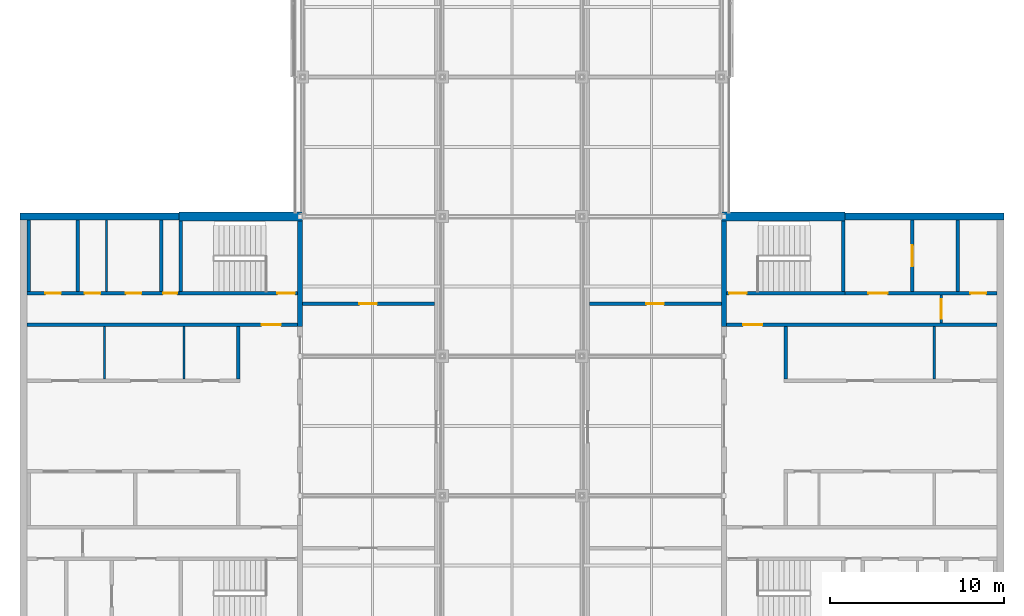
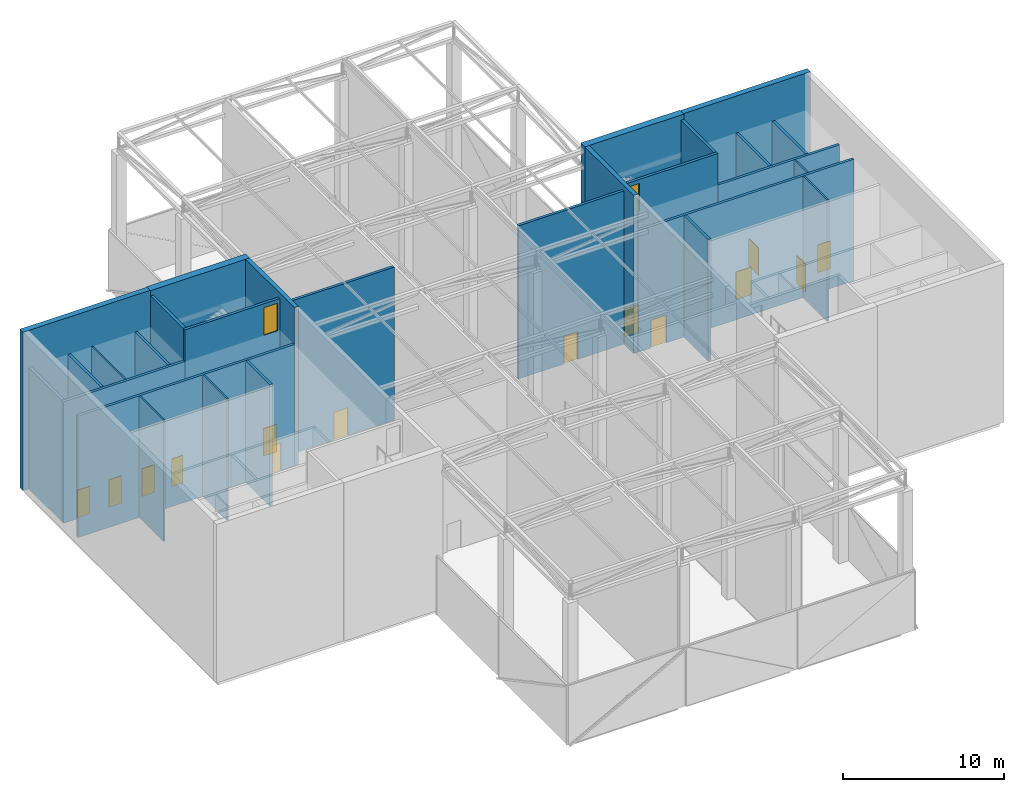
# One storey, part 13 of 23: 28 walls, 16 doors, 16 openings.
"""IFC4 building model written with IfcOpenShell, lengths in metres."""

from ifc_helpers import new_model, si_unit, direction, frame, frame_2d, origin, place, context, subcontext, project, spatial, rectangle, extrude, material, layer, layer_set, constituent, constituent_set, type_object, element, fill, save


model = new_model("IFC4")

# Units and contexts
model_context = context("Model", 3, precision=1e-05, world=origin(), true_north=direction((0.0, 1.0)))
body_context = subcontext(model_context, "Body", "Model", "MODEL_VIEW")
ifc_project = project(units=[si_unit("LENGTHUNIT", "METRE"), si_unit("AREAUNIT", "SQUARE_METRE"), si_unit("VOLUMEUNIT", "CUBIC_METRE"), si_unit("PLANEANGLEUNIT", "RADIAN"), si_unit("MASSUNIT", "GRAM", prefix="KILO")], contexts=[model_context])

# Site, building, storey
site_placement = place(None, origin())
site = spatial("IfcSite", under=ifc_project, at=site_placement, CompositionType="ELEMENT")
building_placement = place(site_placement, origin())
building = spatial("IfcBuilding", under=site, at=building_placement, Name="Crosswind Convention Tower", CompositionType="ELEMENT")
storey_placement = place(building_placement, frame((0.0, 0.0, 349.10009765625)))
storey = spatial("IfcBuildingStorey", under=building, at=storey_placement, Name="L76", CompositionType="ELEMENT", Elevation=349.10009765625)

# Wall
ifc_material_1 = material(Name="Concrete blockwork", Category="masonry")
ifc_layer_1 = layer(ifc_material_1, 0.199951171875)
ifc_layer_set_1 = layer_set([ifc_layer_1], Name="Blockwork partition wall 200")
wall_type_1 = type_object("IfcWallType", Name="Blockwork partition wall 200", PredefinedType="PARTITIONING", material=ifc_layer_set_1)
wall_1_placement = place(storey_placement, frame((104.89990234375, 111.800048828125, 0.0), z_axis=(0.0, 0.0, 1.0), x_axis=(0.0, -1.0, 0.0)))
element("IfcWall", 1, at=wall_1_placement, inside=storey, type_object=wall_type_1, Name="Wall MRSE W L76", PredefinedType="PARTITIONING", context=body_context, shape_type="SweptSolid", body=[
    extrude(rectangle(XDim=4.10009765625, YDim=0.199951171875, at=frame_2d((2.050048828125, 0.0))), origin(), (0.0, 0.0, 1.0), 9.199951171875),
])

# Wall, opening, door
ifc_layer_2 = layer(ifc_material_1, 0.199951171875)
ifc_layer_set_2 = layer_set([ifc_layer_2], Name="COMPARTMENT WALL 200 BLOCKWORK")
wall_type_2 = type_object("IfcWallType", Name="COMPARTMENT WALL 200 BLOCKWORK", PredefinedType="SOLIDWALL", material=ifc_layer_set_2)
wall_2_placement = place(storey_placement, frame((113.0, 107.0, 0.0), z_axis=(0.0, 0.0, 1.0), x_axis=(1.0, 0.0, 0.0)))
wall_2 = element("IfcWall", 2, at=wall_2_placement, inside=storey, type_object=wall_type_2, Name="Compartment wall WT42", PredefinedType="SOLIDWALL", context=body_context, shape_type="SweptSolid", body=[
    extrude(rectangle(XDim=7.550048828125, YDim=0.199951171875, at=frame_2d((3.77490234375, 0.0))), origin(), (0.0, 0.0, 1.0), 11.599853515625),
])
opening_1_placement = place(wall_2_placement, frame((3.25, 0.0, 0.0)))
opening_1 = element("IfcOpeningElement", 3, at=opening_1_placement, cuts=wall_2, Name="Opening L76-51", PredefinedType="OPENING", context=body_context, shape_type="SweptSolid", body=[
    extrude(rectangle(XDim=1.0, YDim=2.10009765625, at=frame_2d((0.5, 1.050048828125))), frame((0.0, 0.10986328125, 0.0), z_axis=(0.0, -1.0, 0.0), x_axis=(1.0, 0.0, 0.0)), (0.0, 0.0, 1.0), 0.219970703125),
])
ifc_material_2 = material(Name="Steel fire door", Category="steel")
door_type_1 = type_object("IfcDoorType", Name="PLANT ROOM DOOR 1000X2100 FD60", OperationType="NOTDEFINED", PredefinedType="DOOR", material=ifc_material_2)
door_1_placement = place(opening_1_placement, origin())
door_1 = element("IfcDoor", 4, at=door_1_placement, inside=storey, type_object=door_type_1, Name="Door L76-51", ObjectType="D43", OperationType="SINGLE_SWING_LEFT", OverallHeight=2.10009765625, OverallWidth=1.0, PredefinedType="DOOR", context=body_context, shape_type="SweptSolid", body=[
    extrude(rectangle(XDim=1.0, YDim=2.10009765625, at=frame_2d((0.5, 1.050048828125))), frame((0.0, 0.02490234375, 0.0), z_axis=(0.0, -1.0, 0.0), x_axis=(1.0, 0.0, 0.0)), (0.0, 0.0, 1.0), 0.050048828125),
])
fill(opening_1, door_1)

wall_3_placement = place(storey_placement, frame((129.449951171875, 107.0, 0.0), z_axis=(0.0, 0.0, 1.0), x_axis=(1.0, 0.0, 0.0)))
wall_3 = element("IfcWall", 5, at=wall_3_placement, inside=storey, type_object=wall_type_2, Name="Compartment wall WT42", PredefinedType="SOLIDWALL", context=body_context, shape_type="SweptSolid", body=[
    extrude(rectangle(XDim=7.550048828125, YDim=0.199951171875, at=frame_2d((3.77490234375, 0.0))), origin(), (0.0, 0.0, 1.0), 11.599853515625),
])
opening_2_placement = place(wall_3_placement, frame((3.25, 0.0, 0.0)))
opening_2 = element("IfcOpeningElement", 6, at=opening_2_placement, cuts=wall_3, Name="Opening L76-54", PredefinedType="OPENING", context=body_context, shape_type="SweptSolid", body=[
    extrude(rectangle(XDim=1.0, YDim=2.10009765625, at=frame_2d((0.5, 1.050048828125))), frame((0.0, 0.10986328125, 0.0), z_axis=(0.0, -1.0, 0.0), x_axis=(1.0, 0.0, 0.0)), (0.0, 0.0, 1.0), 0.219970703125),
])
door_2_placement = place(opening_2_placement, origin())
door_2 = element("IfcDoor", 7, at=door_2_placement, inside=storey, type_object=door_type_1, Name="Door L76-54", ObjectType="D43", OperationType="SINGLE_SWING_LEFT", OverallHeight=2.10009765625, OverallWidth=1.0, PredefinedType="DOOR", context=body_context, shape_type="SweptSolid", body=[
    extrude(rectangle(XDim=1.0, YDim=2.10009765625, at=frame_2d((0.5, 1.050048828125))), frame((0.0, 0.02490234375, 0.0), z_axis=(0.0, -1.0, 0.0), x_axis=(1.0, 0.0, 0.0)), (0.0, 0.0, 1.0), 0.050048828125),
])
fill(opening_2, door_2)

# Walls
ifc_material_3 = material(Name="Concrete C50/60", Category="concrete")
ifc_layer_3 = layer(ifc_material_3, 0.300048828125)
ifc_layer_set_3 = layer_set([ifc_layer_3], Name="Concrete C50/60")
wall_type_3 = type_object("IfcWallType", Name="Concrete inner core wall 300", PredefinedType="SHEAR", material=ifc_layer_set_3)
for number, where, z_axis, x_axis, name in (
    (8, (137.14990234375, 105.699951171875, 0.0), (0.0, 0.0, 1.0), (0.0, 1.0, 0.0), "Wall EP E L76"),
    (9, (112.85009765625, 111.75, 0.0), (0.0, 0.0, 1.0), (0.0, -1.0, 0.0), "Wall EM W L76"),
):
    element("IfcWall", number, at=place(storey_placement, frame(where, z_axis=z_axis, x_axis=x_axis)), inside=storey, type_object=wall_type_3, Name=name, PredefinedType="SHEAR", context=body_context, shape_type="SweptSolid", body=[
        extrude(rectangle(XDim=6.050048828125, YDim=0.300048828125, at=frame_2d((3.02490234375, 0.0))), origin(), (0.0, 0.0, 1.0), 12.0),
    ])
ifc_layer_4 = layer(ifc_material_3, 0.199951171875)
ifc_layer_set_4 = layer_set([ifc_layer_4], Name="Concrete C50/60")
wall_type_4 = type_object("IfcWallType", Name="Concrete shaft and stair wall 200", PredefinedType="SHEAR", material=ifc_layer_set_4)
wall_4_placement = place(storey_placement, frame((140.699951171875, 102.699951171875, 0.0), z_axis=(0.0, 0.0, 1.0), x_axis=(0.0, 1.0, 0.0)))
element("IfcWall", 10, at=wall_4_placement, inside=storey, type_object=wall_type_4, Name="Wall RPEND E L76", PredefinedType="SHEAR", context=body_context, shape_type="SweptSolid", body=[
    extrude(rectangle(XDim=3.0, YDim=0.199951171875, at=frame_2d((1.5, 0.0))), origin(), (0.0, 0.0, 1.0), 9.199951171875),
])

# Wall, opening, door
wall_5_placement = place(storey_placement, frame((137.300048828125, 105.800048828125, 0.0), z_axis=(0.0, 0.0, 1.0), x_axis=(1.0, 0.0, 0.0)))
wall_5 = element("IfcWall", 11, at=wall_5_placement, inside=storey, type_object=wall_type_4, Name="Wall HP E L76", PredefinedType="SHEAR", context=body_context, shape_type="SweptSolid", body=[
    extrude(rectangle(XDim=15.5, YDim=0.199951171875, at=frame_2d((7.75, 0.0))), origin(), (0.0, 0.0, 1.0), 9.199951171875),
])
opening_3_placement = place(wall_5_placement, frame((0.949951171875, 0.0, 0.0)))
opening_3 = element("IfcOpeningElement", 12, at=opening_3_placement, cuts=wall_5, Name="Opening D104", PredefinedType="OPENING", context=body_context, shape_type="SweptSolid", body=[
    extrude(rectangle(XDim=1.10009765625, YDim=2.10009765625, at=frame_2d((0.550048828125, 1.050048828125))), frame((0.0, 0.10986328125, 0.0), z_axis=(0.0, -1.0, 0.0), x_axis=(1.0, 0.0, 0.0)), (0.0, 0.0, 1.0), 0.219970703125),
])
door_type_2 = type_object("IfcDoorType", Name="Fire-rated single door 1100x2100", OperationType="NOTDEFINED", PredefinedType="DOOR", material=ifc_material_2)
door_3_placement = place(opening_3_placement, origin())
door_3 = element("IfcDoor", 13, at=door_3_placement, inside=storey, type_object=door_type_2, Name="Corridor door L76", ObjectType="D104", OperationType="SINGLE_SWING_LEFT", OverallHeight=2.10009765625, OverallWidth=1.10009765625, PredefinedType="DOOR", context=body_context, shape_type="SweptSolid", body=[
    extrude(rectangle(XDim=1.10009765625, YDim=2.10009765625, at=frame_2d((0.550048828125, 1.050048828125))), frame((0.0, 0.02490234375, 0.0), z_axis=(0.0, -1.0, 0.0), x_axis=(1.0, 0.0, 0.0)), (0.0, 0.0, 1.0), 0.050048828125),
])
fill(opening_3, door_3)

# Wall
wall_6_placement = place(storey_placement, frame((144.0, 107.699951171875, 0.0), z_axis=(0.0, 0.0, 1.0), x_axis=(0.0, 1.0, 0.0)))
element("IfcWall", 14, at=wall_6_placement, inside=storey, type_object=wall_type_4, Name="Wall PSE E L76", PredefinedType="SHEAR", context=body_context, shape_type="SweptSolid", body=[
    extrude(rectangle(XDim=4.050048828125, YDim=0.199951171875, at=frame_2d((2.02490234375, 0.0))), origin(), (0.0, 0.0, 1.0), 11.599853515625),
])

# Wall, opening, door
wall_7_placement = place(storey_placement, frame((147.949951171875, 107.699951171875, 0.0), z_axis=(0.0, 0.0, 1.0), x_axis=(0.0, 1.0, 0.0)))
wall_7 = element("IfcWall", 15, at=wall_7_placement, inside=storey, type_object=wall_type_4, Name="Wall PFLW E L76", PredefinedType="SHEAR", context=body_context, shape_type="SweptSolid", body=[
    extrude(rectangle(XDim=4.10009765625, YDim=0.199951171875, at=frame_2d((2.050048828125, 0.0))), origin(), (0.0, 0.0, 1.0), 9.199951171875),
])
opening_4_placement = place(wall_7_placement, frame((1.449951171875, 0.0, 0.0)))
opening_4 = element("IfcOpeningElement", 16, at=opening_4_placement, cuts=wall_7, Name="Opening LD1", PredefinedType="OPENING", context=body_context, shape_type="SweptSolid", body=[
    extrude(rectangle(XDim=1.199951171875, YDim=2.10009765625, at=frame_2d((0.60009765625, 1.050048828125))), frame((0.0, 0.10986328125, 0.0), z_axis=(0.0, -1.0, 0.0), x_axis=(1.0, 0.0, 0.0)), (0.0, 0.0, 1.0), 0.219970703125),
])
ifc_material_4 = material(Name="Stainless steel", Category="steel")
door_type_3 = type_object("IfcDoorType", Name="Lift landing door 1200x2100", OperationType="DOUBLE_DOOR_SLIDING", PredefinedType="DOOR", material=ifc_material_4)
door_4_placement = place(opening_4_placement, origin())
door_4 = element("IfcDoor", 17, at=door_4_placement, inside=storey, type_object=door_type_3, Name="Landing door FF1 L76", ObjectType="LD1", OperationType="DOUBLE_DOOR_SLIDING", OverallHeight=2.10009765625, OverallWidth=1.199951171875, PredefinedType="DOOR", context=body_context, shape_type="SweptSolid", body=[
    extrude(rectangle(XDim=1.199951171875, YDim=2.10009765625, at=frame_2d((0.60009765625, 1.050048828125))), frame((0.0, 0.02490234375, 0.0), z_axis=(0.0, -1.0, 0.0), x_axis=(1.0, 0.0, 0.0)), (0.0, 0.0, 1.0), 0.050048828125),
])
fill(opening_4, door_4)

# Wall
wall_8_placement = place(storey_placement, frame((150.550048828125, 107.699951171875, 0.0), z_axis=(0.0, 0.0, 1.0), x_axis=(0.0, 1.0, 0.0)))
element("IfcWall", 18, at=wall_8_placement, inside=storey, type_object=wall_type_4, Name="Wall PFSE E L76", PredefinedType="SHEAR", context=body_context, shape_type="SweptSolid", body=[
    extrude(rectangle(XDim=4.10009765625, YDim=0.199951171875, at=frame_2d((2.050048828125, 0.0))), origin(), (0.0, 0.0, 1.0), 9.199951171875),
])

# Wall, openings, doors
wall_9_placement = place(storey_placement, frame((137.300048828125, 107.60009765625, 0.0), z_axis=(0.0, 0.0, 1.0), x_axis=(1.0, 0.0, 0.0)))
wall_9 = element("IfcWall", 19, at=wall_9_placement, inside=storey, type_object=wall_type_4, Name="Wall PCW E L76", PredefinedType="SHEAR", context=body_context, shape_type="SweptSolid", body=[
    extrude(rectangle(XDim=6.800048828125, YDim=0.199951171875, at=frame_2d((3.39990234375, 0.0))), origin(), (0.0, 0.0, 1.0), 11.599853515625),
])
opening_5_placement = place(wall_9_placement, frame((0.14990234375, 0.0, 0.0)))
opening_5 = element("IfcOpeningElement", 20, at=opening_5_placement, cuts=wall_9, Name="Opening D103", PredefinedType="OPENING", context=body_context, shape_type="SweptSolid", body=[
    extrude(rectangle(XDim=1.0, YDim=2.10009765625, at=frame_2d((0.5, 1.050048828125))), frame((0.0, 0.10986328125, 0.0), z_axis=(0.0, -1.0, 0.0), x_axis=(1.0, 0.0, 0.0)), (0.0, 0.0, 1.0), 0.219970703125),
])
opening_6_placement = place(wall_9_placement, frame((0.14990234375, 0.0, 9.199951171875)))
opening_6 = element("IfcOpeningElement", 21, at=opening_6_placement, cuts=wall_9, Name="Opening D103", PredefinedType="OPENING", context=body_context, shape_type="SweptSolid", body=[
    extrude(rectangle(XDim=1.0, YDim=2.10009765625, at=frame_2d((0.5, 1.050048828125))), frame((0.0, 0.10986328125, 0.0), z_axis=(0.0, -1.0, 0.0), x_axis=(1.0, 0.0, 0.0)), (0.0, 0.0, 1.0), 0.219970703125),
])
door_type_4 = type_object("IfcDoorType", Name="Fire-rated single door 1000x2100", OperationType="NOTDEFINED", PredefinedType="DOOR", material=ifc_material_2)
door_5_placement = place(opening_5_placement, origin())
door_5 = element("IfcDoor", 22, at=door_5_placement, inside=storey, type_object=door_type_4, Name="Stair ST1 door L76", ObjectType="D103", OperationType="SINGLE_SWING_LEFT", OverallHeight=2.10009765625, OverallWidth=1.0, PredefinedType="DOOR", context=body_context, shape_type="SweptSolid", body=[
    extrude(rectangle(XDim=1.0, YDim=2.10009765625, at=frame_2d((0.5, 1.050048828125))), frame((0.0, 0.02490234375, 0.0), z_axis=(0.0, -1.0, 0.0), x_axis=(1.0, 0.0, 0.0)), (0.0, 0.0, 1.0), 0.050048828125),
])
fill(opening_5, door_5)
door_6_placement = place(opening_6_placement, frame((1.0, 0.0, 0.0), z_axis=(0.0, 0.0, 1.0), x_axis=(-1.0, 0.0, 0.0)))
door_6 = element("IfcDoor", 23, at=door_6_placement, inside=storey, type_object=door_type_4, Name="Stair ST1 roof door L76", ObjectType="D103", OperationType="SINGLE_SWING_RIGHT", OverallHeight=2.10009765625, OverallWidth=1.0, PredefinedType="DOOR", context=body_context, shape_type="SweptSolid", body=[
    extrude(rectangle(XDim=1.0, YDim=2.10009765625, at=frame_2d((0.5, 1.050048828125))), frame((0.0, 0.02490234375, 0.0), z_axis=(0.0, -1.0, 0.0), x_axis=(1.0, 0.0, 0.0)), (0.0, 0.0, 1.0), 0.050048828125),
])
fill(opening_6, door_6)

wall_10_placement = place(storey_placement, frame((144.10009765625, 107.60009765625, 0.0), z_axis=(0.0, 0.0, 1.0), x_axis=(1.0, 0.0, 0.0)))
wall_10 = element("IfcWall", 24, at=wall_10_placement, inside=storey, type_object=wall_type_4, Name="Wall PCX E L76", PredefinedType="SHEAR", context=body_context, shape_type="SweptSolid", body=[
    extrude(rectangle(XDim=8.699951171875, YDim=0.199951171875, at=frame_2d((4.35009765625, 0.0))), origin(), (0.0, 0.0, 1.0), 9.199951171875),
])
opening_7_placement = place(wall_10_placement, frame((1.324951171875, 0.0, 0.0)))
opening_7 = element("IfcOpeningElement", 25, at=opening_7_placement, cuts=wall_10, Name="Opening D104", PredefinedType="OPENING", context=body_context, shape_type="SweptSolid", body=[
    extrude(rectangle(XDim=1.10009765625, YDim=2.10009765625, at=frame_2d((0.550048828125, 1.050048828125))), frame((0.0, 0.10986328125, 0.0), z_axis=(0.0, -1.0, 0.0), x_axis=(1.0, 0.0, 0.0)), (0.0, 0.0, 1.0), 0.219970703125),
])
opening_8_placement = place(wall_10_placement, frame((7.175048828125, 0.0, 0.0)))
opening_8 = element("IfcOpeningElement", 26, at=opening_8_placement, cuts=wall_10, Name="Opening D106", PredefinedType="OPENING", context=body_context, shape_type="SweptSolid", body=[
    extrude(rectangle(XDim=0.89990234375, YDim=2.10009765625, at=frame_2d((0.449951171875, 1.050048828125))), frame((0.0, 0.10986328125, 0.0), z_axis=(0.0, -1.0, 0.0), x_axis=(1.0, 0.0, 0.0)), (0.0, 0.0, 1.0), 0.219970703125),
])
door_7_placement = place(opening_7_placement, frame((1.10009765625, 0.0, 0.0), z_axis=(0.0, 0.0, 1.0), x_axis=(-1.0, 0.0, 0.0)))
door_7 = element("IfcDoor", 27, at=door_7_placement, inside=storey, type_object=door_type_2, Name="Fire-fighting lobby FF1 door L76", ObjectType="D104", OperationType="SINGLE_SWING_LEFT", OverallHeight=2.10009765625, OverallWidth=1.10009765625, PredefinedType="DOOR", context=body_context, shape_type="SweptSolid", body=[
    extrude(rectangle(XDim=1.10009765625, YDim=2.10009765625, at=frame_2d((0.550048828125, 1.050048828125))), frame((0.0, 0.02490234375, 0.0), z_axis=(0.0, -1.0, 0.0), x_axis=(1.0, 0.0, 0.0)), (0.0, 0.0, 1.0), 0.050048828125),
])
fill(opening_7, door_7)
ifc_material_5 = material(Name="Timber door", Category="wood")
door_type_5 = type_object("IfcDoorType", Name="Single leaf door 900x2100", OperationType="NOTDEFINED", PredefinedType="DOOR", material=ifc_material_5)
door_8_placement = place(opening_8_placement, origin())
door_8 = element("IfcDoor", 28, at=door_8_placement, inside=storey, type_object=door_type_5, Name="Door to mechanical plant room L76", ObjectType="D106", OperationType="SINGLE_SWING_RIGHT", OverallHeight=2.10009765625, OverallWidth=0.89990234375, PredefinedType="DOOR", context=body_context, shape_type="SweptSolid", body=[
    extrude(rectangle(XDim=0.89990234375, YDim=2.10009765625, at=frame_2d((0.449951171875, 1.050048828125))), frame((0.0, 0.02490234375, 0.0), z_axis=(0.0, -1.0, 0.0), x_axis=(1.0, 0.0, 0.0)), (0.0, 0.0, 1.0), 0.050048828125),
])
fill(opening_8, door_8)

# Wall
wall_11_placement = place(storey_placement, frame((109.300048828125, 105.699951171875, 0.0), z_axis=(0.0, 0.0, 1.0), x_axis=(0.0, -1.0, 0.0)))
element("IfcWall", 29, at=wall_11_placement, inside=storey, type_object=wall_type_4, Name="Wall RMEND W L76", PredefinedType="SHEAR", context=body_context, shape_type="SweptSolid", body=[
    extrude(rectangle(XDim=3.0, YDim=0.199951171875, at=frame_2d((1.5, 0.0))), origin(), (0.0, 0.0, 1.0), 9.199951171875),
])

# Wall, opening, door
wall_12_placement = place(storey_placement, frame((112.699951171875, 105.800048828125, 0.0), z_axis=(0.0, 0.0, 1.0), x_axis=(-1.0, 0.0, 0.0)))
wall_12 = element("IfcWall", 30, at=wall_12_placement, inside=storey, type_object=wall_type_4, Name="Wall HM W L76", PredefinedType="SHEAR", context=body_context, shape_type="SweptSolid", body=[
    extrude(rectangle(XDim=15.5, YDim=0.199951171875, at=frame_2d((7.75, 0.0))), origin(), (0.0, 0.0, 1.0), 9.199951171875),
])
opening_9_placement = place(wall_12_placement, frame((0.949951171875, 0.0, 0.0)))
opening_9 = element("IfcOpeningElement", 31, at=opening_9_placement, cuts=wall_12, Name="Opening D104", PredefinedType="OPENING", context=body_context, shape_type="SweptSolid", body=[
    extrude(rectangle(XDim=1.10009765625, YDim=2.10009765625, at=frame_2d((0.550048828125, 1.050048828125))), frame((0.0, 0.10986328125, 0.0), z_axis=(0.0, -1.0, 0.0), x_axis=(1.0, 0.0, 0.0)), (0.0, 0.0, 1.0), 0.219970703125),
])
door_9_placement = place(opening_9_placement, frame((1.10009765625, 0.0, 0.0), z_axis=(0.0, 0.0, 1.0), x_axis=(-1.0, 0.0, 0.0)))
door_9 = element("IfcDoor", 32, at=door_9_placement, inside=storey, type_object=door_type_2, Name="Corridor door L76", ObjectType="D104", OperationType="SINGLE_SWING_RIGHT", OverallHeight=2.10009765625, OverallWidth=1.10009765625, PredefinedType="DOOR", context=body_context, shape_type="SweptSolid", body=[
    extrude(rectangle(XDim=1.10009765625, YDim=2.10009765625, at=frame_2d((0.550048828125, 1.050048828125))), frame((0.0, 0.02490234375, 0.0), z_axis=(0.0, -1.0, 0.0), x_axis=(1.0, 0.0, 0.0)), (0.0, 0.0, 1.0), 0.050048828125),
])
fill(opening_9, door_9)

# Walls
wall_13_placement = place(storey_placement, frame((106.0, 111.75, 0.0), z_axis=(0.0, 0.0, 1.0), x_axis=(0.0, -1.0, 0.0)))
element("IfcWall", 33, at=wall_13_placement, inside=storey, type_object=wall_type_4, Name="Wall MSE W L76", PredefinedType="SHEAR", context=body_context, shape_type="SweptSolid", body=[
    extrude(rectangle(XDim=4.050048828125, YDim=0.199951171875, at=frame_2d((2.02490234375, 0.0))), origin(), (0.0, 0.0, 1.0), 11.599853515625),
])
for number, where, z_axis, x_axis, name in (
    (34, (100.10009765625, 111.800048828125, 0.0), (0.0, 0.0, 1.0), (0.0, -1.0, 0.0), "Wall MFSW W L76"),
    (35, (97.300048828125, 111.800048828125, 0.0), (0.0, 0.0, 1.0), (0.0, -1.0, 0.0), "Wall MFSE W L76"),
):
    element("IfcWall", number, at=place(storey_placement, frame(where, z_axis=z_axis, x_axis=x_axis)), inside=storey, type_object=wall_type_4, Name=name, PredefinedType="SHEAR", context=body_context, shape_type="SweptSolid", body=[
        extrude(rectangle(XDim=4.10009765625, YDim=0.199951171875, at=frame_2d((2.050048828125, 0.0))), origin(), (0.0, 0.0, 1.0), 9.199951171875),
    ])

# Wall, openings, doors
wall_14_placement = place(storey_placement, frame((112.699951171875, 107.60009765625, 0.0), z_axis=(0.0, 0.0, 1.0), x_axis=(-1.0, 0.0, 0.0)))
wall_14 = element("IfcWall", 36, at=wall_14_placement, inside=storey, type_object=wall_type_4, Name="Wall MCW W L76", PredefinedType="SHEAR", context=body_context, shape_type="SweptSolid", body=[
    extrude(rectangle(XDim=6.800048828125, YDim=0.199951171875, at=frame_2d((3.39990234375, 0.0))), origin(), (0.0, 0.0, 1.0), 11.599853515625),
])
opening_10_placement = place(wall_14_placement, frame((0.14990234375, 0.0, 0.0)))
opening_10 = element("IfcOpeningElement", 37, at=opening_10_placement, cuts=wall_14, Name="Opening D103", PredefinedType="OPENING", context=body_context, shape_type="SweptSolid", body=[
    extrude(rectangle(XDim=1.0, YDim=2.10009765625, at=frame_2d((0.5, 1.050048828125))), frame((0.0, 0.10986328125, 0.0), z_axis=(0.0, -1.0, 0.0), x_axis=(1.0, 0.0, 0.0)), (0.0, 0.0, 1.0), 0.219970703125),
])
opening_11_placement = place(wall_14_placement, frame((0.14990234375, 0.0, 9.199951171875)))
opening_11 = element("IfcOpeningElement", 38, at=opening_11_placement, cuts=wall_14, Name="Opening D103", PredefinedType="OPENING", context=body_context, shape_type="SweptSolid", body=[
    extrude(rectangle(XDim=1.0, YDim=2.10009765625, at=frame_2d((0.5, 1.050048828125))), frame((0.0, 0.10986328125, 0.0), z_axis=(0.0, -1.0, 0.0), x_axis=(1.0, 0.0, 0.0)), (0.0, 0.0, 1.0), 0.219970703125),
])
door_10_placement = place(opening_10_placement, frame((1.0, 0.0, 0.0), z_axis=(0.0, 0.0, 1.0), x_axis=(-1.0, 0.0, 0.0)))
door_10 = element("IfcDoor", 39, at=door_10_placement, inside=storey, type_object=door_type_4, Name="Stair ST4 door L76", ObjectType="D103", OperationType="SINGLE_SWING_RIGHT", OverallHeight=2.10009765625, OverallWidth=1.0, PredefinedType="DOOR", context=body_context, shape_type="SweptSolid", body=[
    extrude(rectangle(XDim=1.0, YDim=2.10009765625, at=frame_2d((0.5, 1.050048828125))), frame((0.0, 0.02490234375, 0.0), z_axis=(0.0, -1.0, 0.0), x_axis=(1.0, 0.0, 0.0)), (0.0, 0.0, 1.0), 0.050048828125),
])
fill(opening_10, door_10)
door_11_placement = place(opening_11_placement, origin())
door_11 = element("IfcDoor", 40, at=door_11_placement, inside=storey, type_object=door_type_4, Name="Stair ST4 roof door L76", ObjectType="D103", OperationType="SINGLE_SWING_LEFT", OverallHeight=2.10009765625, OverallWidth=1.0, PredefinedType="DOOR", context=body_context, shape_type="SweptSolid", body=[
    extrude(rectangle(XDim=1.0, YDim=2.10009765625, at=frame_2d((0.5, 1.050048828125))), frame((0.0, 0.02490234375, 0.0), z_axis=(0.0, -1.0, 0.0), x_axis=(1.0, 0.0, 0.0)), (0.0, 0.0, 1.0), 0.050048828125),
])
fill(opening_11, door_11)

wall_15_placement = place(storey_placement, frame((105.89990234375, 107.60009765625, 0.0), z_axis=(0.0, 0.0, 1.0), x_axis=(-1.0, 0.0, 0.0)))
wall_15 = element("IfcWall", 41, at=wall_15_placement, inside=storey, type_object=wall_type_4, Name="Wall MCX W L76", PredefinedType="SHEAR", context=body_context, shape_type="SweptSolid", body=[
    extrude(rectangle(XDim=8.699951171875, YDim=0.199951171875, at=frame_2d((4.35009765625, 0.0))), origin(), (0.0, 0.0, 1.0), 9.199951171875),
])
opening_12_placement = place(wall_15_placement, frame((0.10009765625, 0.0, 0.0)))
opening_12 = element("IfcOpeningElement", 42, at=opening_12_placement, cuts=wall_15, Name="Opening D105", PredefinedType="OPENING", context=body_context, shape_type="SweptSolid", body=[
    extrude(rectangle(XDim=0.800048828125, YDim=2.10009765625, at=frame_2d((0.39990234375, 1.050048828125))), frame((0.0, 0.10986328125, 0.0), z_axis=(0.0, -1.0, 0.0), x_axis=(1.0, 0.0, 0.0)), (0.0, 0.0, 1.0), 0.219970703125),
])
opening_13_placement = place(wall_15_placement, frame((2.13671875, 0.0, 0.0)))
opening_13 = element("IfcOpeningElement", 43, at=opening_13_placement, cuts=wall_15, Name="Opening D106", PredefinedType="OPENING", context=body_context, shape_type="SweptSolid", body=[
    extrude(rectangle(XDim=0.89990234375, YDim=2.10009765625, at=frame_2d((0.449951171875, 1.050048828125))), frame((0.0, 0.10986328125, 0.0), z_axis=(0.0, -1.0, 0.0), x_axis=(1.0, 0.0, 0.0)), (0.0, 0.0, 1.0), 0.219970703125),
])
opening_14_placement = place(wall_15_placement, frame((4.499267578125, 0.0, 0.0)))
opening_14 = element("IfcOpeningElement", 44, at=opening_14_placement, cuts=wall_15, Name="Opening D106", PredefinedType="OPENING", context=body_context, shape_type="SweptSolid", body=[
    extrude(rectangle(XDim=0.89990234375, YDim=2.10009765625, at=frame_2d((0.449951171875, 1.050048828125))), frame((0.0, 0.10986328125, 0.0), z_axis=(0.0, -1.0, 0.0), x_axis=(1.0, 0.0, 0.0)), (0.0, 0.0, 1.0), 0.219970703125),
])
opening_15_placement = place(wall_15_placement, frame((6.75, 0.0, 0.0)))
opening_15 = element("IfcOpeningElement", 45, at=opening_15_placement, cuts=wall_15, Name="Opening D106", PredefinedType="OPENING", context=body_context, shape_type="SweptSolid", body=[
    extrude(rectangle(XDim=0.89990234375, YDim=2.10009765625, at=frame_2d((0.449951171875, 1.050048828125))), frame((0.0, 0.10986328125, 0.0), z_axis=(0.0, -1.0, 0.0), x_axis=(1.0, 0.0, 0.0)), (0.0, 0.0, 1.0), 0.219970703125),
])
door_type_6 = type_object("IfcDoorType", Name="Riser access door 800x2100", OperationType="NOTDEFINED", PredefinedType="DOOR", material=ifc_material_2)
door_12_placement = place(opening_12_placement, frame((0.800048828125, 0.0, 0.0), z_axis=(0.0, 0.0, 1.0), x_axis=(-1.0, 0.0, 0.0)))
door_12 = element("IfcDoor", 46, at=door_12_placement, inside=storey, type_object=door_type_6, Name="Riser door L76", ObjectType="D105", OperationType="SINGLE_SWING_LEFT", OverallHeight=2.10009765625, OverallWidth=0.800048828125, PredefinedType="DOOR", context=body_context, shape_type="SweptSolid", body=[
    extrude(rectangle(XDim=0.800048828125, YDim=2.10009765625, at=frame_2d((0.39990234375, 1.050048828125))), frame((0.0, 0.02490234375, 0.0), z_axis=(0.0, -1.0, 0.0), x_axis=(1.0, 0.0, 0.0)), (0.0, 0.0, 1.0), 0.050048828125),
])
fill(opening_12, door_12)
door_13_placement = place(opening_13_placement, frame((0.89990234375, 0.0, 0.0), z_axis=(0.0, 0.0, 1.0), x_axis=(-1.0, 0.0, 0.0)))
door_13 = element("IfcDoor", 47, at=door_13_placement, inside=storey, type_object=door_type_5, Name="Door to pump room L76", ObjectType="D106", OperationType="SINGLE_SWING_LEFT", OverallHeight=2.10009765625, OverallWidth=0.89990234375, PredefinedType="DOOR", context=body_context, shape_type="SweptSolid", body=[
    extrude(rectangle(XDim=0.89990234375, YDim=2.10009765625, at=frame_2d((0.449951171875, 1.050048828125))), frame((0.0, 0.02490234375, 0.0), z_axis=(0.0, -1.0, 0.0), x_axis=(1.0, 0.0, 0.0)), (0.0, 0.0, 1.0), 0.050048828125),
])
fill(opening_13, door_13)
door_14_placement = place(opening_14_placement, frame((0.89990234375, 0.0, 0.0), z_axis=(0.0, 0.0, 1.0), x_axis=(-1.0, 0.0, 0.0)))
door_14 = element("IfcDoor", 48, at=door_14_placement, inside=storey, type_object=door_type_5, Name="Door to plant room L76", ObjectType="D106", OperationType="SINGLE_SWING_LEFT", OverallHeight=2.10009765625, OverallWidth=0.89990234375, PredefinedType="DOOR", context=body_context, shape_type="SweptSolid", body=[
    extrude(rectangle(XDim=0.89990234375, YDim=2.10009765625, at=frame_2d((0.449951171875, 1.050048828125))), frame((0.0, 0.02490234375, 0.0), z_axis=(0.0, -1.0, 0.0), x_axis=(1.0, 0.0, 0.0)), (0.0, 0.0, 1.0), 0.050048828125),
])
fill(opening_14, door_14)
door_15_placement = place(opening_15_placement, frame((0.89990234375, 0.0, 0.0), z_axis=(0.0, 0.0, 1.0), x_axis=(-1.0, 0.0, 0.0)))
door_15 = element("IfcDoor", 49, at=door_15_placement, inside=storey, type_object=door_type_5, Name="Door to plant room L76", ObjectType="D106", OperationType="SINGLE_SWING_LEFT", OverallHeight=2.10009765625, OverallWidth=0.89990234375, PredefinedType="DOOR", context=body_context, shape_type="SweptSolid", body=[
    extrude(rectangle(XDim=0.89990234375, YDim=2.10009765625, at=frame_2d((0.449951171875, 1.050048828125))), frame((0.0, 0.02490234375, 0.0), z_axis=(0.0, -1.0, 0.0), x_axis=(1.0, 0.0, 0.0)), (0.0, 0.0, 1.0), 0.050048828125),
])
fill(opening_15, door_15)

# Wall
ifc_material_6 = material(Name="Gypsum plasterboard partition", Category="gypsum")
ifc_layer_5 = layer(ifc_material_6, 0.125)
ifc_layer_set_5 = layer_set([ifc_layer_5], Name="Drywall partition wall 125")
wall_type_5 = type_object("IfcWallType", Name="Drywall partition wall 125", PredefinedType="PARTITIONING", material=ifc_layer_set_5)
wall_16_placement = place(storey_placement, frame((149.199951171875, 102.699951171875, 0.0), z_axis=(0.0, 0.0, 1.0), x_axis=(0.0, 1.0, 0.0)))
element("IfcWall", 50, at=wall_16_placement, inside=storey, type_object=wall_type_5, Name="Wall RPP1 E L76", PredefinedType="PARTITIONING", context=body_context, shape_type="SweptSolid", body=[
    extrude(rectangle(XDim=3.0, YDim=0.125, at=frame_2d((1.5, 0.0))), origin(), (0.0, 0.0, 1.0), 9.199951171875),
])

# Wall, opening, door
wall_17_placement = place(storey_placement, frame((149.60009765625, 105.89990234375, 0.0), z_axis=(0.0, 0.0, 1.0), x_axis=(0.0, 1.0, 0.0)))
wall_17 = element("IfcWall", 51, at=wall_17_placement, inside=storey, type_object=wall_type_5, Name="Wall PXC1 E L76", PredefinedType="PARTITIONING", context=body_context, shape_type="SweptSolid", body=[
    extrude(rectangle(XDim=1.60009765625, YDim=0.125, at=frame_2d((0.800048828125, 0.0))), origin(), (0.0, 0.0, 1.0), 9.199951171875),
])
opening_16_placement = place(wall_17_placement, frame((0.25, 0.0, 0.0)))
opening_16 = element("IfcOpeningElement", 52, at=opening_16_placement, cuts=wall_17, Name="Opening D104", PredefinedType="OPENING", context=body_context, shape_type="SweptSolid", body=[
    extrude(rectangle(XDim=1.10009765625, YDim=2.10009765625, at=frame_2d((0.550048828125, 1.050048828125))), frame((0.0, 0.072509765625, 0.0), z_axis=(0.0, -1.0, 0.0), x_axis=(1.0, 0.0, 0.0)), (0.0, 0.0, 1.0), 0.14501953125),
])
door_16_placement = place(opening_16_placement, origin())
door_16 = element("IfcDoor", 53, at=door_16_placement, inside=storey, type_object=door_type_2, Name="Corridor smoke door L76", ObjectType="D104", OperationType="SINGLE_SWING_RIGHT", OverallHeight=2.10009765625, OverallWidth=1.10009765625, PredefinedType="DOOR", context=body_context, shape_type="SweptSolid", body=[
    extrude(rectangle(XDim=1.10009765625, YDim=2.10009765625, at=frame_2d((0.550048828125, 1.050048828125))), frame((0.0, 0.02490234375, 0.0), z_axis=(0.0, -1.0, 0.0), x_axis=(1.0, 0.0, 0.0)), (0.0, 0.0, 1.0), 0.050048828125),
])
fill(opening_16, door_16)

# Walls
for number, where, z_axis, x_axis, name in (
    (54, (106.199951171875, 105.699951171875, 0.0), (0.0, 0.0, 1.0), (0.0, -1.0, 0.0), "Wall RMP1 W L76"),
    (55, (101.639892578125, 105.699951171875, 0.0), (0.0, 0.0, 1.0), (0.0, -1.0, 0.0), "Wall RMP2 W L76"),
):
    element("IfcWall", number, at=place(storey_placement, frame(where, z_axis=z_axis, x_axis=x_axis)), inside=storey, type_object=wall_type_5, Name=name, PredefinedType="PARTITIONING", context=body_context, shape_type="SweptSolid", body=[
        extrude(rectangle(XDim=3.0, YDim=0.125, at=frame_2d((1.5, 0.0))), origin(), (0.0, 0.0, 1.0), 9.199951171875),
    ])
wall_18_placement = place(storey_placement, frame((101.763916015625, 111.800048828125, 0.0), z_axis=(0.0, 0.0, 1.0), x_axis=(0.0, -1.0, 0.0)))
element("IfcWall", 56, at=wall_18_placement, inside=storey, type_object=wall_type_5, Name="Wall MWP1 W L76", PredefinedType="PARTITIONING", context=body_context, shape_type="SweptSolid", body=[
    extrude(rectangle(XDim=4.10009765625, YDim=0.125, at=frame_2d((2.050048828125, 0.0))), origin(), (0.0, 0.0, 1.0), 9.199951171875),
])
ifc_material_7 = material(Name="Concrete C60/75", Category="concrete")
ifc_constituent_1 = constituent(ifc_material_7, Name="Structure")
ifc_material_8 = material(Name="Terracotta rainscreen", Category="ceramic")
ifc_constituent_2 = constituent(ifc_material_8, Name="Facing")
ifc_constituent_set_1 = constituent_set(constituents=[ifc_constituent_1, ifc_constituent_2], Name="Concrete C60/75, Terracotta rainscreen")
wall_type_6 = type_object("IfcWallType", Name="Terracotta rainscreen on concrete core wall 400", PredefinedType="SHEAR", material=ifc_constituent_set_1)
for number, where, z_axis, x_axis, name in (
    (57, (144.10009765625, 112.0, 0.0), (0.0, 0.0, 1.0), (1.0, 0.0, 0.0), "Wall N2 E L76"),
    (58, (105.89990234375, 112.0, 0.0), (0.0, 0.0, 1.0), (-1.0, 0.0, 0.0), "Wall S2 W L76"),
):
    element("IfcWall", number, at=place(storey_placement, frame(where, z_axis=z_axis, x_axis=x_axis)), inside=storey, type_object=wall_type_6, Name=name, PredefinedType="SHEAR", context=body_context, shape_type="SweptSolid", body=[
        extrude(rectangle(XDim=9.099853515625, YDim=0.39990234375, at=frame_2d((4.5498046875, 0.0))), origin(), (0.0, 0.0, 1.0), 12.0),
    ])
ifc_constituent_3 = constituent(ifc_material_7, Name="Structure")
ifc_constituent_4 = constituent(ifc_material_8, Name="Facing")
ifc_constituent_set_2 = constituent_set(constituents=[ifc_constituent_3, ifc_constituent_4], Name="Concrete C60/75, Terracotta rainscreen")
wall_type_7 = type_object("IfcWallType", Name="Terracotta rainscreen on concrete core wall 500", PredefinedType="SHEAR", material=ifc_constituent_set_2)
for number, where, z_axis, x_axis, name in (
    (59, (137.0, 112.0, 0.0), (0.0, 0.0, 1.0), (1.0, 0.0, 0.0), "Wall N1 E L76"),
    (60, (113.0, 112.0, 0.0), (0.0, 0.0, 1.0), (-1.0, 0.0, 0.0), "Wall S1 W L76"),
):
    element("IfcWall", number, at=place(storey_placement, frame(where, z_axis=z_axis, x_axis=x_axis)), inside=storey, type_object=wall_type_7, Name=name, PredefinedType="SHEAR", context=body_context, shape_type="SweptSolid", body=[
        extrude(rectangle(XDim=7.10009765625, YDim=0.5, at=frame_2d((3.550048828125, 0.0))), origin(), (0.0, 0.0, 1.0), 12.0),
    ])

save(model, "model.ifc")
